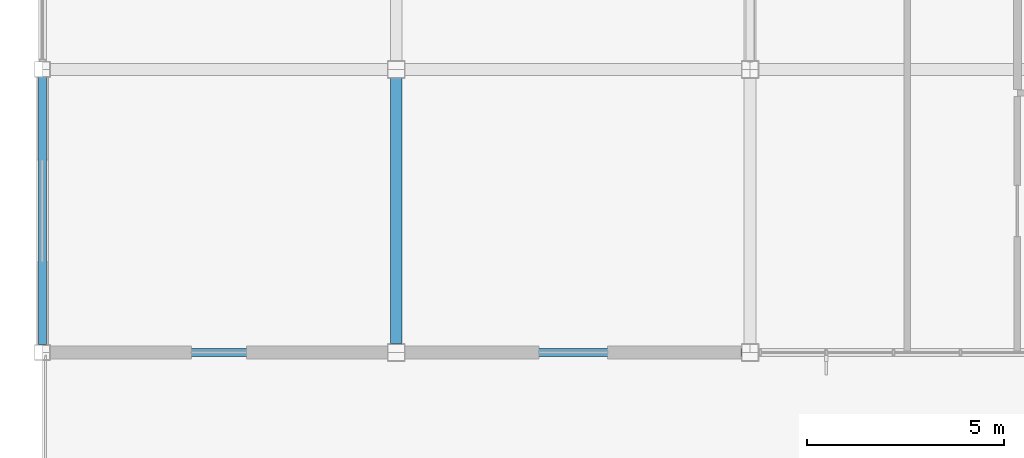
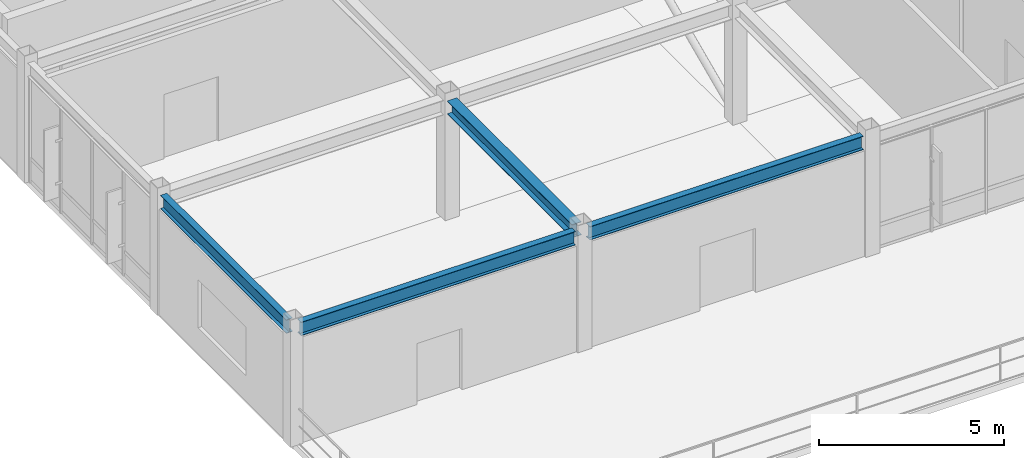
# One storey, part 10 of 106: 4 beams.
"""IFC4 building model written with IfcOpenShell, lengths in metres."""

from ifc_helpers import new_model, si_unit, direction, frame, origin, origin_2d, place, context, subcontext, project, spatial, i_section, extrude, material, material_profile, profile_set, type_object, element, save


model = new_model("IFC4")

# Units and contexts
model_context = context("Model", 3, precision=1e-05, world=origin(), true_north=direction((0.0, 1.0)))
body_context = subcontext(model_context, "Body", "Model", "MODEL_VIEW")
ifc_project = project(units=[si_unit("LENGTHUNIT", "METRE"), si_unit("AREAUNIT", "SQUARE_METRE"), si_unit("VOLUMEUNIT", "CUBIC_METRE"), si_unit("PLANEANGLEUNIT", "RADIAN"), si_unit("MASSUNIT", "GRAM", prefix="KILO")], contexts=[model_context])

# Site, building, storey
site_placement = place(None, origin())
site = spatial("IfcSite", under=ifc_project, at=site_placement, CompositionType="ELEMENT")
building_placement = place(site_placement, origin())
building = spatial("IfcBuilding", under=site, at=building_placement, Name="Kazanami Central Library", CompositionType="ELEMENT")
storey_placement = place(building_placement, frame((0.0, 0.0, 12.800048828125)))
storey = spatial("IfcBuildingStorey", under=building, at=storey_placement, Name="L04", CompositionType="ELEMENT", Elevation=12.800048828125)

# Beams
ifc_material = material(Name="Steel SN490B (325 MPa)", Category="steel")
ifc_material_profile_1 = material_profile(ifc_material, i_section(OverallWidth=0.300048828125, OverallDepth=0.43994140625, WebThickness=0.010986328125, FlangeThickness=0.01806640625, at=origin_2d()), Name="H-440x300x11x18")
ifc_profile_set_1 = profile_set([ifc_material_profile_1], Name="Steel SN490B (325 MPa)")
beam_type_1 = type_object("IfcBeamType", Name="BM-G-Y4", PredefinedType="BEAM", material=ifc_profile_set_1)
beam_1_placement = place(storey_placement, frame((9.0, 65.02294921875, 3.719970703125), z_axis=(0.0, 1.0, 0.0), x_axis=(-1.0, 0.0, 0.0)))
element("IfcBeam", 1, at=beam_1_placement, inside=storey, type_object=beam_type_1, Name="Girder G-Y4 L04 2/K-L", PredefinedType="BEAM", context=body_context, shape_type="SweptSolid", body=[
    extrude(i_section(OverallWidth=0.300048828125, OverallDepth=0.43994140625, WebThickness=0.010986328125, FlangeThickness=0.01806640625, at=origin_2d()), origin(), (0.0, 0.0, 1.0), 6.754150390625),
])
ifc_material_profile_2 = material_profile(ifc_material, i_section(OverallWidth=0.199951171875, OverallDepth=0.449951171875, WebThickness=0.009033203125, FlangeThickness=0.013916015625, at=origin_2d()), Name="H-450x200x9x14")
ifc_profile_set_2 = profile_set([ifc_material_profile_2], Name="Steel SN490B (325 MPa)")
beam_type_2 = type_object("IfcBeamType", Name="BM-SP-2", PredefinedType="SPANDREL", material=ifc_profile_set_2)
beam_2_placement = place(storey_placement, frame((0.197998046875, 64.800048828125, 3.71484375), z_axis=(1.0, 0.0, 0.0), x_axis=(0.0, 1.0, 0.0)))
element("IfcBeam", 2, at=beam_2_placement, inside=storey, type_object=beam_type_2, Name="Girder SP-2 L04 K/1-2", PredefinedType="SPANDREL", context=body_context, shape_type="SweptSolid", body=[
    extrude(i_section(OverallWidth=0.199951171875, OverallDepth=0.449951171875, WebThickness=0.009033203125, FlangeThickness=0.013916015625, at=origin_2d()), origin(), (0.0, 0.0, 1.0), 8.5791015625),
])
beam_3_placement = place(storey_placement, frame((9.222900390625, 64.800048828125, 3.71484375), z_axis=(1.0, 0.0, 0.0), x_axis=(0.0, 1.0, 0.0)))
element("IfcBeam", 3, at=beam_3_placement, inside=storey, type_object=beam_type_2, Name="Girder SP-2 L04 K/2-3", PredefinedType="SPANDREL", context=body_context, shape_type="SweptSolid", body=[
    extrude(i_section(OverallWidth=0.199951171875, OverallDepth=0.449951171875, WebThickness=0.009033203125, FlangeThickness=0.013916015625, at=origin_2d()), origin(), (0.0, 0.0, 1.0), 8.55419921875),
])
beam_4_placement = place(storey_placement, frame((0.0, 64.998046875, 3.71484375), z_axis=(0.0, 1.0, 0.0), x_axis=(-1.0, 0.0, 0.0)))
element("IfcBeam", 4, at=beam_4_placement, inside=storey, type_object=beam_type_2, Name="Girder SP-2 L04 1/K-L", PredefinedType="SPANDREL", context=body_context, shape_type="SweptSolid", body=[
    extrude(i_section(OverallWidth=0.199951171875, OverallDepth=0.449951171875, WebThickness=0.009033203125, FlangeThickness=0.013916015625, at=origin_2d()), origin(), (0.0, 0.0, 1.0), 6.803955078125),
])

save(model, "model.ifc")
